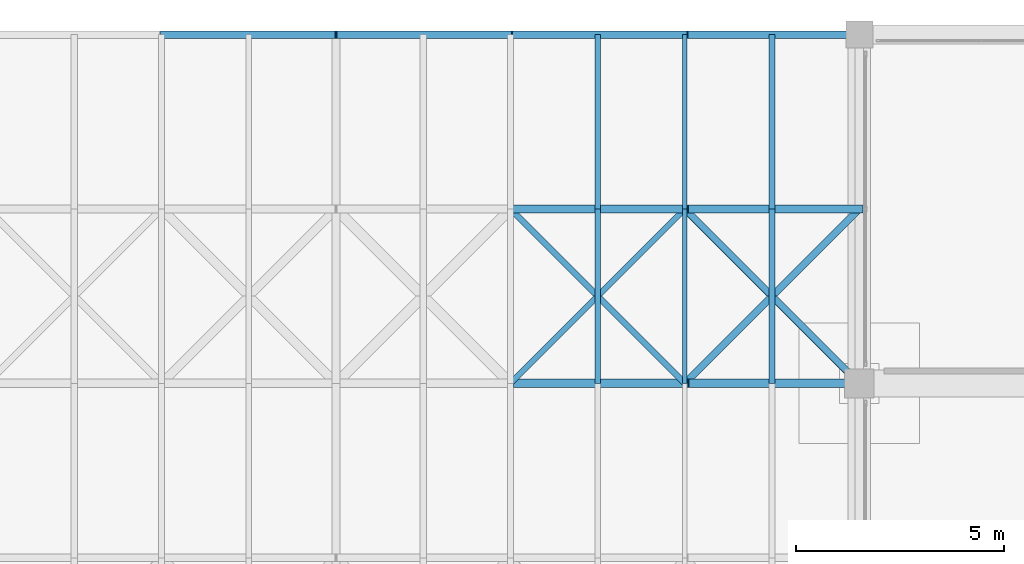
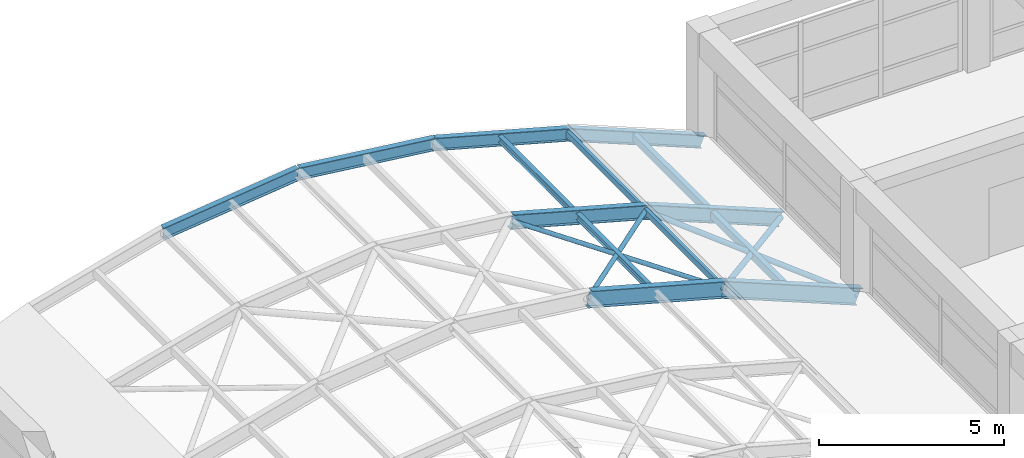
# One storey, part 40 of 85: 18 members.
"""IFC4 building model written with IfcOpenShell, lengths in metres."""

from ifc_helpers import new_model, si_unit, direction, frame, origin, origin_2d, place, context, subcontext, project, spatial, hollow_rectangle, hollow_circle, i_section, extrude, material, material_profile, profile_set, type_object, element, save


model = new_model("IFC4")

# Units and contexts
model_context = context("Model", 3, precision=1e-05, world=origin(), true_north=direction((0.0, 1.0)))
body_context = subcontext(model_context, "Body", "Model", "MODEL_VIEW")
ifc_project = project(units=[si_unit("LENGTHUNIT", "METRE"), si_unit("AREAUNIT", "SQUARE_METRE"), si_unit("VOLUMEUNIT", "CUBIC_METRE"), si_unit("PLANEANGLEUNIT", "RADIAN"), si_unit("MASSUNIT", "GRAM", prefix="KILO")], contexts=[model_context])

# Site, building, storey
site_placement = place(None, origin())
site = spatial("IfcSite", under=ifc_project, at=site_placement, CompositionType="ELEMENT")
building_placement = place(site_placement, origin())
building = spatial("IfcBuilding", under=site, at=building_placement, Name="Almacenes y Pasaje Nevantli", CompositionType="ELEMENT")
storey_placement = place(building_placement, frame((0.0, 0.0, 22.199951171875)))
storey = spatial("IfcBuildingStorey", under=building, at=storey_placement, Name="L05", CompositionType="ELEMENT", Elevation=22.199951171875)

# Members
ifc_material_1 = material(Name="Steel ASTM A992", Category="steel")
ifc_material_profile_1 = material_profile(ifc_material_1, i_section(OverallWidth=0.180908203125, OverallDepth=0.406005859375, WebThickness=0.010986328125, FlangeThickness=0.018310546875, at=origin_2d()), Name="IR 406x85.0")
ifc_profile_set_1 = profile_set([ifc_material_profile_1], Name="Steel ASTM A992")
member_type_1 = type_object("IfcMemberType", Name="MBR-ARCH-IR406x85", PredefinedType="USERDEFINED", material=ifc_profile_set_1)
for number, where, z_axis, x_axis, name in (
    (1, (75.60009765625, 117.60009765625, 3.25), (0.99298811287, 0.0, 0.118214244908), (0.0, 1.0, 0.0), "Arcade Barrel Vault Steel Arch Rib 29.3"),
    (2, (79.800048828125, 117.60009765625, 3.75), (0.99298811287, 0.0, -0.118214244908), (0.0, 1.0, 0.0), "Arcade Barrel Vault Steel Arch Rib 29.4"),
):
    element("IfcMember", number, at=place(storey_placement, frame(where, z_axis=z_axis, x_axis=x_axis)), inside=storey, type_object=member_type_1, Name=name, ObjectType="ARCH RIB", PredefinedType="USERDEFINED", context=body_context, shape_type="SweptSolid", body=[
        extrude(i_section(OverallWidth=0.180908203125, OverallDepth=0.406005859375, WebThickness=0.010986328125, FlangeThickness=0.018310546875, at=origin_2d()), origin(), (0.0, 0.0, 1.0), 4.2294921875),
    ])
member_1_placement = place(storey_placement, frame((84.0, 117.60009765625, 3.25), z_axis=(0.964503290046, 0.0, -0.264070830443), x_axis=(0.0, 1.0, 0.0)))
element("IfcMember", 3, at=member_1_placement, inside=storey, type_object=member_type_1, Name="Arcade Barrel Vault Steel Arch Rib 29.5", ObjectType="ARCH RIB", PredefinedType="USERDEFINED", context=body_context, shape_type="SweptSolid", body=[
    extrude(i_section(OverallWidth=0.180908203125, OverallDepth=0.406005859375, WebThickness=0.010986328125, FlangeThickness=0.018310546875, at=origin_2d()), origin(), (0.0, 0.0, 1.0), 4.3544921875),
])
member_2_placement = place(storey_placement, frame((88.199951171875, 117.60009765625, 2.10009765625), z_axis=(0.926949044115, 0.0, -0.375187246072), x_axis=(0.0, 1.0, 0.0)))
element("IfcMember", 4, at=member_2_placement, inside=storey, type_object=member_type_1, Name="Arcade Barrel Vault Steel Arch Rib 29.6", ObjectType="ARCH RIB", PredefinedType="USERDEFINED", context=body_context, shape_type="SweptSolid", body=[
    extrude(i_section(OverallWidth=0.180908203125, OverallDepth=0.406005859375, WebThickness=0.010986328125, FlangeThickness=0.018310546875, at=origin_2d()), origin(), (0.0, 0.0, 1.0), 4.531005859375),
])
ifc_material_2 = material(Name="Steel ASTM A992", Category="steel")
ifc_material_profile_2 = material_profile(ifc_material_2, i_section(OverallWidth=0.193115234375, OverallDepth=0.4599609375, WebThickness=0.011474609375, FlangeThickness=0.01904296875, at=origin_2d()), Name="IR 457x96.7")
ifc_profile_set_2 = profile_set([ifc_material_profile_2], Name="Steel ASTM A992")
member_type_2 = type_object("IfcMemberType", Name="MBR-ARCH-IR457x96", PredefinedType="USERDEFINED", material=ifc_profile_set_2)
member_3_placement = place(storey_placement, frame((84.0, 113.39990234375, 3.25), z_axis=(0.964503290046, 0.0, -0.264070830443), x_axis=(0.0, 1.0, 0.0)))
element("IfcMember", 5, at=member_3_placement, inside=storey, type_object=member_type_2, Name="Arcade Barrel Vault Steel Arch Rib 28.5", ObjectType="ARCH RIB", PredefinedType="USERDEFINED", context=body_context, shape_type="SweptSolid", body=[
    extrude(i_section(OverallWidth=0.193115234375, OverallDepth=0.4599609375, WebThickness=0.011474609375, FlangeThickness=0.01904296875, at=origin_2d()), origin(), (0.0, 0.0, 1.0), 4.3544921875),
])
member_4_placement = place(storey_placement, frame((88.199951171875, 113.39990234375, 2.10009765625), z_axis=(0.926949044115, 0.0, -0.375187246072), x_axis=(0.0, 1.0, 0.0)))
element("IfcMember", 6, at=member_4_placement, inside=storey, type_object=member_type_2, Name="Arcade Barrel Vault Steel Arch Rib 28.6", ObjectType="ARCH RIB", PredefinedType="USERDEFINED", context=body_context, shape_type="SweptSolid", body=[
    extrude(i_section(OverallWidth=0.193115234375, OverallDepth=0.4599609375, WebThickness=0.011474609375, FlangeThickness=0.01904296875, at=origin_2d()), origin(), (0.0, 0.0, 1.0), 4.531005859375),
])
ifc_material_3 = material(Name="Steel ASTM A992", Category="steel")
ifc_material_profile_3 = material_profile(ifc_material_3, i_section(OverallWidth=0.208984375, OverallDepth=0.532958984375, WebThickness=0.01025390625, FlangeThickness=0.015625, at=origin_2d()), Name="IR 533x92.5")
ifc_profile_set_3 = profile_set([ifc_material_profile_3], Name="Steel ASTM A992")
member_type_3 = type_object("IfcMemberType", Name="MBR-ARCH-IR533x92", PredefinedType="USERDEFINED", material=ifc_profile_set_3)
member_5_placement = place(storey_placement, frame((84.0, 109.199951171875, 3.25), z_axis=(0.964503290046, 0.0, -0.264070830443), x_axis=(0.0, 1.0, 0.0)))
element("IfcMember", 7, at=member_5_placement, inside=storey, type_object=member_type_3, Name="Arcade Barrel Vault Steel Arch Rib 27.5", ObjectType="ARCH RIB", PredefinedType="USERDEFINED", context=body_context, shape_type="SweptSolid", body=[
    extrude(i_section(OverallWidth=0.208984375, OverallDepth=0.532958984375, WebThickness=0.01025390625, FlangeThickness=0.015625, at=origin_2d()), origin(), (0.0, 0.0, 1.0), 4.3544921875),
])
member_6_placement = place(storey_placement, frame((88.199951171875, 109.199951171875, 2.10009765625), z_axis=(0.926949044115, 0.0, -0.375187246072), x_axis=(0.0, 1.0, 0.0)))
element("IfcMember", 8, at=member_6_placement, inside=storey, type_object=member_type_3, Name="Arcade Barrel Vault Steel Arch Rib 27.6", ObjectType="ARCH RIB", PredefinedType="USERDEFINED", context=body_context, shape_type="SweptSolid", body=[
    extrude(i_section(OverallWidth=0.208984375, OverallDepth=0.532958984375, WebThickness=0.01025390625, FlangeThickness=0.015625, at=origin_2d()), origin(), (0.0, 0.0, 1.0), 4.531005859375),
])
ifc_material_4 = material(Name="Steel ASTM A500 Grade C", Category="steel")
ifc_material_profile_4 = material_profile(ifc_material_4, hollow_circle(Radius=0.070556640625, WallThickness=0.006591796875, at=origin_2d()), Name="OC 141x6.6")
ifc_profile_set_4 = profile_set([ifc_material_profile_4], Name="Steel ASTM A500 Grade C")
member_type_4 = type_object("IfcMemberType", Name="MBR-BRC-OC141", PredefinedType="BRACE", material=ifc_profile_set_4)
for number, where, z_axis, x_axis, name in (
    (9, (84.0, 109.199951171875, 3.25), (0.694216714393, 0.694216714393, -0.190069216113), (-0.707106781187, 0.707106781187, 0.0), "Arcade Barrel Vault Wind Brace 27.5A"),
    (10, (88.199951171875, 109.199951171875, 2.10009765625), (-0.694216714393, 0.694216714393, 0.190069216113), (-0.707106781187, -0.707106781187, 0.0), "Arcade Barrel Vault Wind Brace 27.5B"),
):
    element("IfcMember", number, at=place(storey_placement, frame(where, z_axis=z_axis, x_axis=x_axis)), inside=storey, type_object=member_type_4, Name=name, PredefinedType="BRACE", context=body_context, shape_type="SweptSolid", body=[
        extrude(hollow_circle(Radius=0.070556640625, WallThickness=0.006591796875, at=origin_2d()), origin(), (0.0, 0.0, 1.0), 6.0498046875),
    ])
ifc_material_5 = material(Name="Steel ASTM A500 Grade C", Category="steel")
ifc_material_profile_5 = material_profile(ifc_material_5, hollow_circle(Radius=0.084228515625, WallThickness=0.007080078125, at=origin_2d()), Name="OC 168x7.1")
ifc_profile_set_5 = profile_set([ifc_material_profile_5], Name="Steel ASTM A500 Grade C")
member_type_5 = type_object("IfcMemberType", Name="MBR-BRC-OC168", PredefinedType="BRACE", material=ifc_profile_set_5)
for number, where, z_axis, x_axis, name in (
    (11, (88.199951171875, 109.199951171875, 2.10009765625), (0.679811915702, 0.679811915702, -0.275157261468), (-0.707106781187, 0.707106781187, 0.0), "Arcade Barrel Vault Wind Brace 27.6A"),
    (12, (92.39990234375, 109.199951171875, 0.400146484375), (-0.679811915702, 0.679811915702, 0.275157261468), (-0.707106781187, -0.707106781187, 0.0), "Arcade Barrel Vault Wind Brace 27.6B"),
):
    element("IfcMember", number, at=place(storey_placement, frame(where, z_axis=z_axis, x_axis=x_axis)), inside=storey, type_object=member_type_5, Name=name, PredefinedType="BRACE", context=body_context, shape_type="SweptSolid", body=[
        extrude(hollow_circle(Radius=0.084228515625, WallThickness=0.007080078125, at=origin_2d()), origin(), (0.0, 0.0, 1.0), 6.17822265625),
    ])
ifc_material_6 = material(Name="Steel ASTM A992", Category="steel")
ifc_material_profile_6 = material_profile(ifc_material_6, i_section(OverallWidth=0.134033203125, OverallDepth=0.2099609375, WebThickness=0.00634765625, FlangeThickness=0.01025390625, at=origin_2d()), Name="IR 203x31.3")
ifc_profile_set_6 = profile_set([ifc_material_profile_6], Name="Steel ASTM A992")
member_type_6 = type_object("IfcMemberType", Name="MBR-PUR-IR203x31", PredefinedType="PURLIN", material=ifc_profile_set_6)
member_7_placement = place(storey_placement, frame((86.10009765625, 109.199951171875, 2.675048828125), z_axis=(0.0, 1.0, 0.0), x_axis=(-1.0, 0.0, 0.0)))
element("IfcMember", 13, at=member_7_placement, inside=storey, type_object=member_type_6, Name="Arcade Barrel Vault Secondary Steel Purlin #296", PredefinedType="PURLIN", context=body_context, shape_type="SweptSolid", body=[
    extrude(i_section(OverallWidth=0.134033203125, OverallDepth=0.2099609375, WebThickness=0.00634765625, FlangeThickness=0.01025390625, at=origin_2d()), origin(), (0.0, 0.0, 1.0), 4.199951171875),
])
member_8_placement = place(storey_placement, frame((86.10009765625, 113.39990234375, 2.675048828125), z_axis=(0.0, 1.0, 0.0), x_axis=(-1.0, 0.0, 0.0)))
element("IfcMember", 14, at=member_8_placement, inside=storey, type_object=member_type_6, Name="Arcade Barrel Vault Secondary Steel Purlin #307", PredefinedType="PURLIN", context=body_context, shape_type="SweptSolid", body=[
    extrude(i_section(OverallWidth=0.134033203125, OverallDepth=0.2099609375, WebThickness=0.00634765625, FlangeThickness=0.01025390625, at=origin_2d()), origin(), (0.0, 0.0, 1.0), 4.2001953125),
])
ifc_material_7 = material(Name="Steel ASTM A500 Grade C", Category="steel")
ifc_material_profile_7 = material_profile(ifc_material_7, hollow_rectangle(XDim=0.1015625, YDim=0.203125, WallThickness=0.0078125, at=origin_2d()), Name="OR 203x102x7.9")
ifc_profile_set_7 = profile_set([ifc_material_profile_7], Name="Steel ASTM A500 Grade C")
member_type_7 = type_object("IfcMemberType", Name="MBR-PUR-OR203x102", PredefinedType="PURLIN", material=ifc_profile_set_7)
member_9_placement = place(storey_placement, frame((88.199951171875, 109.199951171875, 2.10009765625), z_axis=(0.0, 1.0, 0.0), x_axis=(-1.0, 0.0, 0.0)))
element("IfcMember", 15, at=member_9_placement, inside=storey, type_object=member_type_7, Name="Arcade Barrel Vault Steel Purlin #291", PredefinedType="PURLIN", context=body_context, shape_type="SweptSolid", body=[
    extrude(hollow_rectangle(XDim=0.1015625, YDim=0.203125, WallThickness=0.0078125, at=origin_2d()), origin(), (0.0, 0.0, 1.0), 4.199951171875),
])
member_10_placement = place(storey_placement, frame((88.199951171875, 113.39990234375, 2.10009765625), z_axis=(0.0, 1.0, 0.0), x_axis=(-1.0, 0.0, 0.0)))
element("IfcMember", 16, at=member_10_placement, inside=storey, type_object=member_type_7, Name="Arcade Barrel Vault Steel Purlin #302", PredefinedType="PURLIN", context=body_context, shape_type="SweptSolid", body=[
    extrude(hollow_rectangle(XDim=0.1015625, YDim=0.203125, WallThickness=0.0078125, at=origin_2d()), origin(), (0.0, 0.0, 1.0), 4.2001953125),
])
ifc_material_8 = material(Name="Steel ASTM A500 Grade C", Category="steel")
ifc_material_profile_8 = material_profile(ifc_material_8, hollow_rectangle(XDim=0.15234375, YDim=0.25390625, WallThickness=0.009521484375, at=origin_2d()), Name="OR 254x152x9.5")
ifc_profile_set_8 = profile_set([ifc_material_profile_8], Name="Steel ASTM A500 Grade C")
member_type_8 = type_object("IfcMemberType", Name="MBR-PUR-OR254x152", PredefinedType="PURLIN", material=ifc_profile_set_8)
member_11_placement = place(storey_placement, frame((90.300048828125, 109.199951171875, 1.25), z_axis=(0.0, 1.0, 0.0), x_axis=(-1.0, 0.0, 0.0)))
element("IfcMember", 17, at=member_11_placement, inside=storey, type_object=member_type_8, Name="Arcade Barrel Vault Secondary Steel Purlin #297", PredefinedType="PURLIN", context=body_context, shape_type="SweptSolid", body=[
    extrude(hollow_rectangle(XDim=0.15234375, YDim=0.25390625, WallThickness=0.009521484375, at=origin_2d()), origin(), (0.0, 0.0, 1.0), 4.199951171875),
])
member_12_placement = place(storey_placement, frame((90.300048828125, 113.39990234375, 1.25), z_axis=(0.0, 1.0, 0.0), x_axis=(-1.0, 0.0, 0.0)))
element("IfcMember", 18, at=member_12_placement, inside=storey, type_object=member_type_8, Name="Arcade Barrel Vault Secondary Steel Purlin #308", PredefinedType="PURLIN", context=body_context, shape_type="SweptSolid", body=[
    extrude(hollow_rectangle(XDim=0.15234375, YDim=0.25390625, WallThickness=0.009521484375, at=origin_2d()), origin(), (0.0, 0.0, 1.0), 4.2001953125),
])

save(model, "model.ifc")
